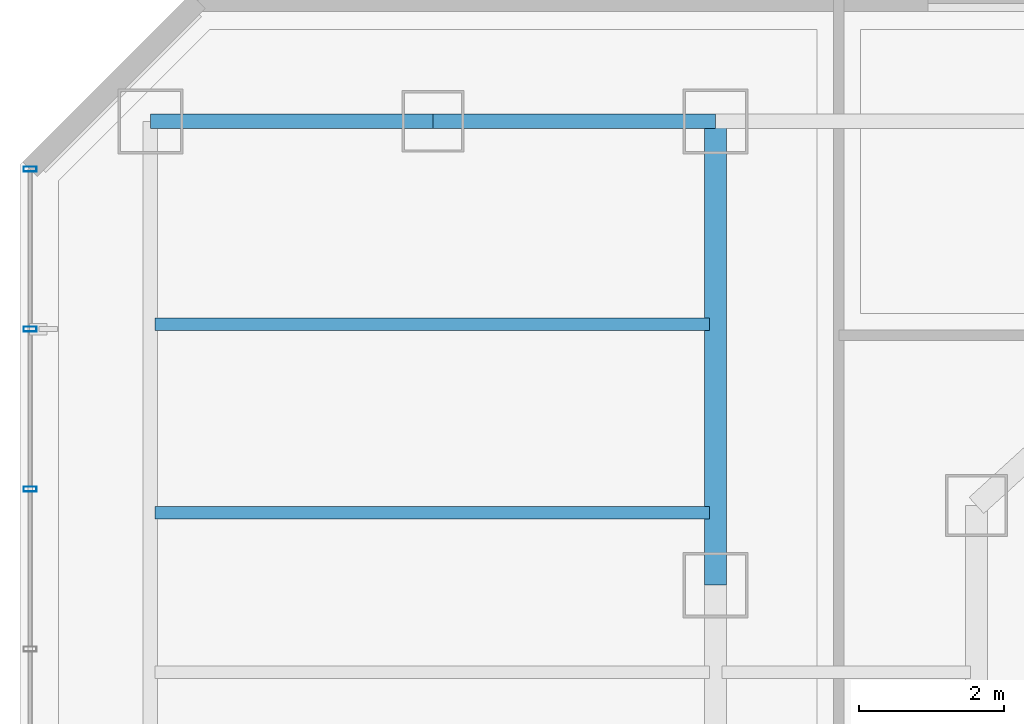
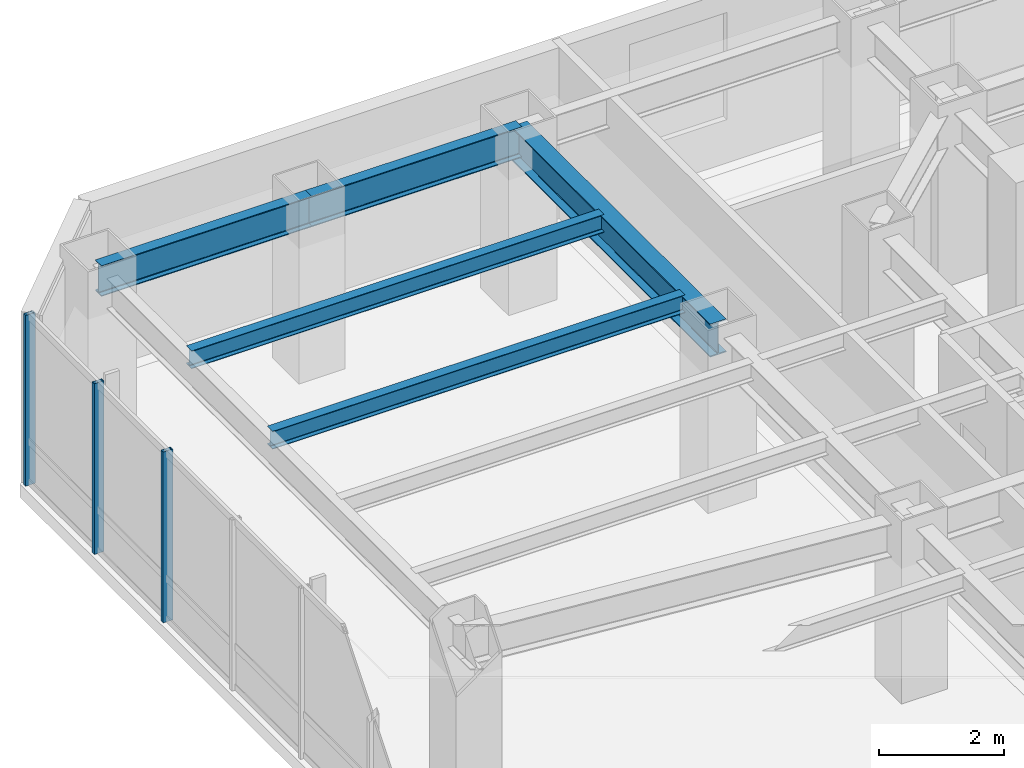
# One storey, part 17 of 29: 5 beams, 3 members, 1 element without a shape of its own.
"""IFC4 building model written with IfcOpenShell, lengths in metres."""

import ifcopenshell
import ifcopenshell.guid

model = None  # the IFC model being written
_history = None  # IfcOwnerHistory: only IFC2X3 demands one
_inside = {}  # id of a spatial element -> (the spatial element, [elements in it])
_under = {}  # id of a project, library or spatial element -> (it, [spatial elements below it])
_declared = {}  # id of a project -> (the project, [libraries it declares])
_typed = {}  # id of a type object -> (the type object, [elements of that type])
_made_of = {}  # id of a material, layer set ... -> (it, [elements and type objects made of it])


def new_model(schema):
    """Start an empty IFC model of exactly this schema.

    Asked for "IFC4X3", IfcOpenShell would pick the latest addendum, in which some entities
    have other attributes; the version numbers below select the first issue.
    IFC2X3 requires an IfcOwnerHistory on every rooted entity: one is made here for all.
    """
    global model, _history
    if schema == "IFC4X3":
        model = ifcopenshell.file(schema_version=(4, 3, 0, 0))
    else:
        model = ifcopenshell.file(schema=schema)
    _inside.clear()
    _under.clear()
    _declared.clear()
    _typed.clear()
    _made_of.clear()
    _history = None
    if model.schema == "IFC2X3":
        org = make("IfcOrganization", Name="unknown")
        user = make(
            "IfcPersonAndOrganization",
            ThePerson=make("IfcPerson", FamilyName="unknown"),
            TheOrganization=org,
        )
        app = make(
            "IfcApplication",
            ApplicationDeveloper=org,
            Version="unknown",
            ApplicationFullName="unknown",
            ApplicationIdentifier="unknown",
        )
        _history = make(
            "IfcOwnerHistory",
            OwningUser=user,
            OwningApplication=app,
            ChangeAction="ADDED",
            CreationDate=0,
        )
    return model


def make(cls, **values):
    """One entity of the class cls with the attributes given. An attribute that is None is left unset."""
    return model.create_entity(
        cls, **{name: value for name, value in values.items() if value is not None}
    )


def rooted(cls, **values):
    """An entity with a GlobalId (a new one), such as an element, a storey or a relation."""
    return make(cls, GlobalId=ifcopenshell.guid.new(), OwnerHistory=_history, **values)


def si_unit(unit_type, name, prefix=None):
    """IfcSIUnit, for example si_unit("LENGTHUNIT", "METRE", prefix="MILLI")."""
    return make("IfcSIUnit", UnitType=unit_type, Prefix=prefix, Name=name)


def assignment(units):
    """IfcUnitAssignment: the units of a project."""
    return None if units is None else make("IfcUnitAssignment", Units=units)


def point(xyz):
    """IfcCartesianPoint."""
    return None if xyz is None else make("IfcCartesianPoint", Coordinates=xyz)


def direction(xyz):
    """IfcDirection."""
    return None if xyz is None else make("IfcDirection", DirectionRatios=xyz)


def frame(location, z_axis=None, x_axis=None):
    """IfcAxis2Placement3D, a coordinate frame: its origin and axes. An axis left out is left unset."""
    return make(
        "IfcAxis2Placement3D",
        Location=point(location),
        Axis=direction(z_axis),
        RefDirection=direction(x_axis),
    )


def frame_2d(location, x_axis=None):
    """IfcAxis2Placement2D, a coordinate frame in the plane: its origin and x axis."""
    return make(
        "IfcAxis2Placement2D", Location=point(location), RefDirection=direction(x_axis)
    )


def origin():
    """The frame at (0, 0, 0) with its axes left unset."""
    return frame((0.0, 0.0, 0.0))


def origin_2d():
    """The frame at (0, 0) in the plane with its x axis left unset."""
    return frame_2d((0.0, 0.0))


def place(relative_to, where):
    """IfcLocalPlacement: puts the frame where relative to a parent placement (None: the world)."""
    return make(
        "IfcLocalPlacement", PlacementRelTo=relative_to, RelativePlacement=where
    )


def context(
    kind, dimensions, precision=None, world=None, true_north=None, identifier=None
):
    """IfcGeometricRepresentationContext, for example the 3D "Model" context."""
    return make(
        "IfcGeometricRepresentationContext",
        ContextIdentifier=identifier,
        ContextType=kind,
        CoordinateSpaceDimension=dimensions,
        Precision=precision,
        WorldCoordinateSystem=world,
        TrueNorth=true_north,
    )


def subcontext(parent, identifier, kind, view, scale=None):
    """IfcGeometricRepresentationSubContext, for example "Body" below "Model"."""
    return make(
        "IfcGeometricRepresentationSubContext",
        ContextIdentifier=identifier,
        ContextType=kind,
        ParentContext=parent,
        TargetScale=scale,
        TargetView=view,
    )


def project(units=None, contexts=None):
    """IfcProject with its units and contexts."""
    return rooted(
        "IfcProject",
        Name="project",
        RepresentationContexts=contexts,
        UnitsInContext=assignment(units),
    )


def spatial(cls, under=None, at=None, **own):
    """A site, building, storey or space (cls), placed at a placement, below another one or the project."""
    s = rooted(cls, ObjectPlacement=at, **own)
    if under is not None:
        _under.setdefault(under.id(), (under, []))[1].append(s)
    return s


def profile(cls, at=None, kind="AREA", **sizes):
    """A parametric profile (cls). Its sizes go by their IFC names, for example OverallWidth=200.0."""
    return make(cls, ProfileType=kind, Position=at, **sizes)


def hollow_rectangle(**sizes):
    """IfcRectangleHollowProfileDef."""
    return profile("IfcRectangleHollowProfileDef", **sizes)


def i_section(**sizes):
    """IfcIShapeProfileDef."""
    return profile("IfcIShapeProfileDef", **sizes)


def extrude(swept, where, along, depth):
    """IfcExtrudedAreaSolid: the profile swept, set in the frame where, extruded along a direction by depth."""
    return make(
        "IfcExtrudedAreaSolid",
        SweptArea=swept,
        Position=where,
        ExtrudedDirection=direction(along),
        Depth=depth,
    )


def shape(context_of_items, identifier, shape_type, items):
    """IfcShapeRepresentation: the items that make up one representation, for example the "Body"."""
    return make(
        "IfcShapeRepresentation",
        ContextOfItems=context_of_items,
        RepresentationIdentifier=identifier,
        RepresentationType=shape_type,
        Items=items,
    )


def material(Name=None, Category=None):
    """IfcMaterial."""
    return make("IfcMaterial", Name=Name, Category=Category)


def layer(
    of_material, thickness, ventilated=None, Name=None, Category=None, Priority=None
):
    """IfcMaterialLayer: one layer of a wall or slab, of a material (None: an air gap)."""
    return make(
        "IfcMaterialLayer",
        Material=of_material,
        LayerThickness=thickness,
        IsVentilated=ventilated,
        Name=Name,
        Category=Category,
        Priority=Priority,
    )


def layer_set(layers, Name=None):
    """IfcMaterialLayerSet."""
    return make("IfcMaterialLayerSet", MaterialLayers=layers, LayerSetName=Name)


def material_profile(
    of_material, cross_section, Name=None, Category=None, Priority=None
):
    """IfcMaterialProfile: a cross section and its material."""
    return make(
        "IfcMaterialProfile",
        Name=Name,
        Material=of_material,
        Profile=cross_section,
        Priority=Priority,
        Category=Category,
    )


def profile_set(profiles, Name=None, composite=None):
    """IfcMaterialProfileSet."""
    return make(
        "IfcMaterialProfileSet",
        Name=Name,
        MaterialProfiles=profiles,
        CompositeProfile=composite,
    )


def made_of(thing, what):
    """Note that an element or type object is made of a material, layer set ...; save() writes the relation."""
    if what is not None:
        _made_of.setdefault(what.id(), (what, []))[1].append(thing)
    return thing


def type_object(cls, material=None, **own):
    """A type object (cls), such as IfcWallType, which elements share."""
    return made_of(rooted(cls, **own), material)


def element(
    cls,
    number,
    at=None,
    inside=None,
    cuts=None,
    type_object=None,
    material=None,
    context=None,
    identifier="Body",
    shape_type=None,
    held_by="IfcProductDefinitionShape",
    body=None,
    shapes=None,
    **own,
):
    """One element of the class cls, such as IfcWall. Its Tag is "e" and its number.

    at: its placement. inside: the storey or other place that contains it. cuts: it is an
    opening in that element (IfcRelVoidsElement). A single representation is given by context,
    identifier, shape_type and body (its items); several are given by shapes. held_by: the class
    of the entity that holds the representations. save() writes the other relations.
    """
    e = rooted(cls, Tag="e%d" % number, ObjectPlacement=at, **own)
    if body is not None:
        shapes = [shape(context, identifier, shape_type, body)]
    if shapes is not None:
        e.Representation = make(held_by, Representations=shapes)
    if inside is not None:
        _inside.setdefault(inside.id(), (inside, []))[1].append(e)
    if cuts is not None:
        rooted(
            "IfcRelVoidsElement", RelatingBuildingElement=cuts, RelatedOpeningElement=e
        )
    if type_object is not None:
        _typed.setdefault(type_object.id(), (type_object, []))[1].append(e)
    return made_of(e, material)


def aggregate(whole, parts):
    """IfcRelAggregates: a whole, such as a stair, and the parts it consists of."""
    return rooted("IfcRelAggregates", RelatingObject=whole, RelatedObjects=parts)


def save(model, path):
    """Write the relations noted so far, then the file.

    IfcRelAggregates (storeys below a building ...), IfcRelContainedInSpatialStructure (elements
    in a storey), IfcRelDefinesByType, IfcRelAssociatesMaterial and IfcRelDeclares: one each for
    every whole, place, type object, material and project.
    """
    for whole, parts in _under.values():
        aggregate(whole, parts)
    for where, things in _inside.values():
        rooted(
            "IfcRelContainedInSpatialStructure",
            RelatedElements=things,
            RelatingStructure=where,
        )
    for kind, things in _typed.values():
        rooted("IfcRelDefinesByType", RelatedObjects=things, RelatingType=kind)
    for what, things in _made_of.values():
        rooted("IfcRelAssociatesMaterial", RelatedObjects=things, RelatingMaterial=what)
    for by, libraries in _declared.values():
        rooted("IfcRelDeclares", RelatingContext=by, RelatedDefinitions=libraries)
    model.write(path)


model = new_model("IFC4")

# Units and contexts
model_context = context("Model", 3, precision=1e-05, world=origin(), true_north=direction((0.0, 1.0)))
body_context = subcontext(model_context, "Body", "Model", "MODEL_VIEW")
ifc_project = project(units=[si_unit("LENGTHUNIT", "METRE"), si_unit("AREAUNIT", "SQUARE_METRE"), si_unit("VOLUMEUNIT", "CUBIC_METRE"), si_unit("PLANEANGLEUNIT", "RADIAN"), si_unit("MASSUNIT", "GRAM", prefix="KILO")], contexts=[model_context])

# Site, building, storey
site_placement = place(None, origin())
site = spatial("IfcSite", under=ifc_project, at=site_placement, CompositionType="ELEMENT")
building_placement = place(site_placement, origin())
building = spatial("IfcBuilding", under=site, at=building_placement, Name="Hatsunagi Terrace Concourse", CompositionType="ELEMENT")
storey_placement = place(building_placement, frame((0.0, 0.0, 115.64990234375)))
storey = spatial("IfcBuildingStorey", under=building, at=storey_placement, Name="L30", CompositionType="ELEMENT", Elevation=115.64990234375)

# Curtain wall, members
ifc_material_1 = material(Name="Anodised Aluminium Alloy 6063-T5", Category="aluminium")
ifc_layer = layer(ifc_material_1, 0.199951171875)
ifc_layer_set = layer_set([ifc_layer], Name="OfficeZone1_CW03")
curtain_wall_type = type_object("IfcCurtainWallType", Name="OfficeZone1_CW03", PredefinedType="NOTDEFINED", material=ifc_layer_set)
curtain_wall_placement = place(storey_placement, origin())
curtain_wall = element("IfcCurtainWall", 1, at=curtain_wall_placement, inside=storey, type_object=curtain_wall_type, Name="Unitised Curtain Wall CW-03 CW-L30-09", PredefinedType="NOTDEFINED")
ifc_material_2 = material(Name="Anodised Aluminium Alloy 6063-T5", Category="aluminium")
ifc_material_profile_1 = material_profile(ifc_material_2, hollow_rectangle(XDim=0.070068359375, YDim=0.179931640625, WallThickness=0.00390625, at=origin_2d()), Name="ALU-MUL-180x70x4")
ifc_profile_set_1 = profile_set([ifc_material_profile_1], Name="Anodised Aluminium Alloy 6063-T5")
member_type = type_object("IfcMemberType", Name="CurtainWallMullion_180x70", PredefinedType="MULLION", material=ifc_profile_set_1)
member_1_placement = place(storey_placement, frame((9.739990234375, 43.52490234375, 0.0), z_axis=(0.0, 0.0, 1.0), x_axis=(0.0, 1.0, 0.0)))
member_1 = element("IfcMember", 2, at=member_1_placement, type_object=member_type, Name="Curtain Wall Mullion MUL-02", PredefinedType="MULLION", context=body_context, shape_type="SweptSolid", body=[
    extrude(hollow_rectangle(XDim=0.070068359375, YDim=0.179931640625, WallThickness=0.00390625, at=origin_2d()), origin(), (0.0, 0.0, 1.0), 3.35009765625),
])
member_2_placement = place(storey_placement, frame((9.739990234375, 45.73388671875, 0.0), z_axis=(0.0, 0.0, 1.0), x_axis=(0.0, 1.0, 0.0)))
member_2 = element("IfcMember", 3, at=member_2_placement, type_object=member_type, Name="Curtain Wall Mullion MUL-02", PredefinedType="MULLION", context=body_context, shape_type="SweptSolid", body=[
    extrude(hollow_rectangle(XDim=0.070068359375, YDim=0.179931640625, WallThickness=0.00390625, at=origin_2d()), origin(), (0.0, 0.0, 1.0), 3.35009765625),
])
member_3_placement = place(storey_placement, frame((9.739990234375, 47.94189453125, 0.0), z_axis=(0.0, 0.0, 1.0), x_axis=(0.0, 1.0, 0.0)))
member_3 = element("IfcMember", 4, at=member_3_placement, type_object=member_type, Name="Curtain Wall Mullion MUL-02", PredefinedType="MULLION", context=body_context, shape_type="SweptSolid", body=[
    extrude(hollow_rectangle(XDim=0.070068359375, YDim=0.179931640625, WallThickness=0.00390625, at=origin_2d()), origin(), (0.0, 0.0, 1.0), 3.35009765625),
])
aggregate(curtain_wall, [member_1, member_2, member_3])

# Beams
ifc_material_3 = material(Name="Steel SN490B", Category="steel")
ifc_material_profile_2 = material_profile(ifc_material_3, i_section(OverallWidth=0.175048828125, OverallDepth=0.35009765625, WebThickness=0.007080078125, FlangeThickness=0.010986328125, FilletRadius=0.012939453125, at=origin_2d()), Name="H-350x175x7x11")
ifc_profile_set_2 = profile_set([ifc_material_profile_2], Name="Steel SN490B")
beam_type_1 = type_object("IfcBeamType", Name="HotelJoist_H_350x175", PredefinedType="JOIST", material=ifc_profile_set_2)
for number, where, z_axis, x_axis, name in (
    (5, (11.465087890625, 43.199951171875, 3.175048828125), (1.0, 0.0, 0.0), (0.0, 1.0, 0.0), "Beam J-02 J-L30-W-11-432"),
    (6, (11.465087890625, 45.800048828125, 3.175048828125), (1.0, 0.0, 0.0), (0.0, 1.0, 0.0), "Beam J-02 J-L30-W-11-458"),
):
    element("IfcBeam", number, at=place(storey_placement, frame(where, z_axis=z_axis, x_axis=x_axis)), inside=storey, type_object=beam_type_1, Name=name, PredefinedType="JOIST", context=body_context, shape_type="SweptSolid", body=[
        extrude(i_section(OverallWidth=0.175048828125, OverallDepth=0.35009765625, WebThickness=0.007080078125, FlangeThickness=0.010986328125, FilletRadius=0.012939453125, at=origin_2d()), origin(), (0.0, 0.0, 1.0), 7.64990234375),
    ])
ifc_material_4 = material(Name="Steel SN490B", Category="steel")
ifc_material_profile_3 = material_profile(ifc_material_4, i_section(OverallWidth=0.300048828125, OverallDepth=0.64990234375, WebThickness=0.012939453125, FlangeThickness=0.02197265625, FilletRadius=0.01806640625, at=origin_2d()), Name="H-650x300x13x22")
ifc_profile_set_3 = profile_set([ifc_material_profile_3], Name="Steel SN490B")
beam_type_2 = type_object("IfcBeamType", Name="OfficeLowGirder_H_650x300", PredefinedType="BEAM", material=ifc_profile_set_3)
beam_1_placement = place(storey_placement, frame((19.199951171875, 42.199951171875, 3.025146484375), z_axis=(0.0, 1.0, 0.0), x_axis=(-1.0, 0.0, 0.0)))
element("IfcBeam", 7, at=beam_1_placement, inside=storey, type_object=beam_type_2, Name="Beam G-05 BM-L30-NS-19-42", PredefinedType="BEAM", context=body_context, shape_type="SweptSolid", body=[
    extrude(i_section(OverallWidth=0.300048828125, OverallDepth=0.64990234375, WebThickness=0.012939453125, FlangeThickness=0.02197265625, FilletRadius=0.01806640625, at=origin_2d()), origin(), (0.0, 0.0, 1.0), 6.400146484375),
])
ifc_material_5 = material(Name="Steel SN490B", Category="steel")
ifc_material_profile_4 = material_profile(ifc_material_5, i_section(OverallWidth=0.199951171875, OverallDepth=0.60009765625, WebThickness=0.010986328125, FlangeThickness=0.01708984375, FilletRadius=0.01806640625, at=origin_2d()), Name="H-600x200x11x17")
ifc_profile_set_4 = profile_set([ifc_material_profile_4], Name="Steel SN490B")
beam_type_3 = type_object("IfcBeamType", Name="PerimeterSpandrel_H_600x200", PredefinedType="SPANDREL", material=ifc_profile_set_4)
beam_2_placement = place(storey_placement, frame((11.39990234375, 48.60009765625, 3.050048828125), z_axis=(1.0, 0.0, 0.0), x_axis=(0.0, 1.0, 0.0)))
element("IfcBeam", 8, at=beam_2_placement, inside=storey, type_object=beam_type_3, Name="Beam SP-01 BM-L30-WN-11", PredefinedType="SPANDREL", context=body_context, shape_type="SweptSolid", body=[
    extrude(i_section(OverallWidth=0.199951171875, OverallDepth=0.60009765625, WebThickness=0.010986328125, FlangeThickness=0.01708984375, FilletRadius=0.01806640625, at=origin_2d()), origin(), (0.0, 0.0, 1.0), 3.900146484375),
])
beam_3_placement = place(storey_placement, frame((15.300048828125, 48.60009765625, 3.050048828125), z_axis=(1.0, 0.0, 0.0), x_axis=(0.0, 1.0, 0.0)))
element("IfcBeam", 9, at=beam_3_placement, inside=storey, type_object=beam_type_3, Name="Beam SP-01 BM-L30-WN-15", PredefinedType="SPANDREL", context=body_context, shape_type="SweptSolid", body=[
    extrude(i_section(OverallWidth=0.199951171875, OverallDepth=0.60009765625, WebThickness=0.010986328125, FlangeThickness=0.01708984375, FilletRadius=0.01806640625, at=origin_2d()), origin(), (0.0, 0.0, 1.0), 3.89990234375),
])

save(model, "model.ifc")
